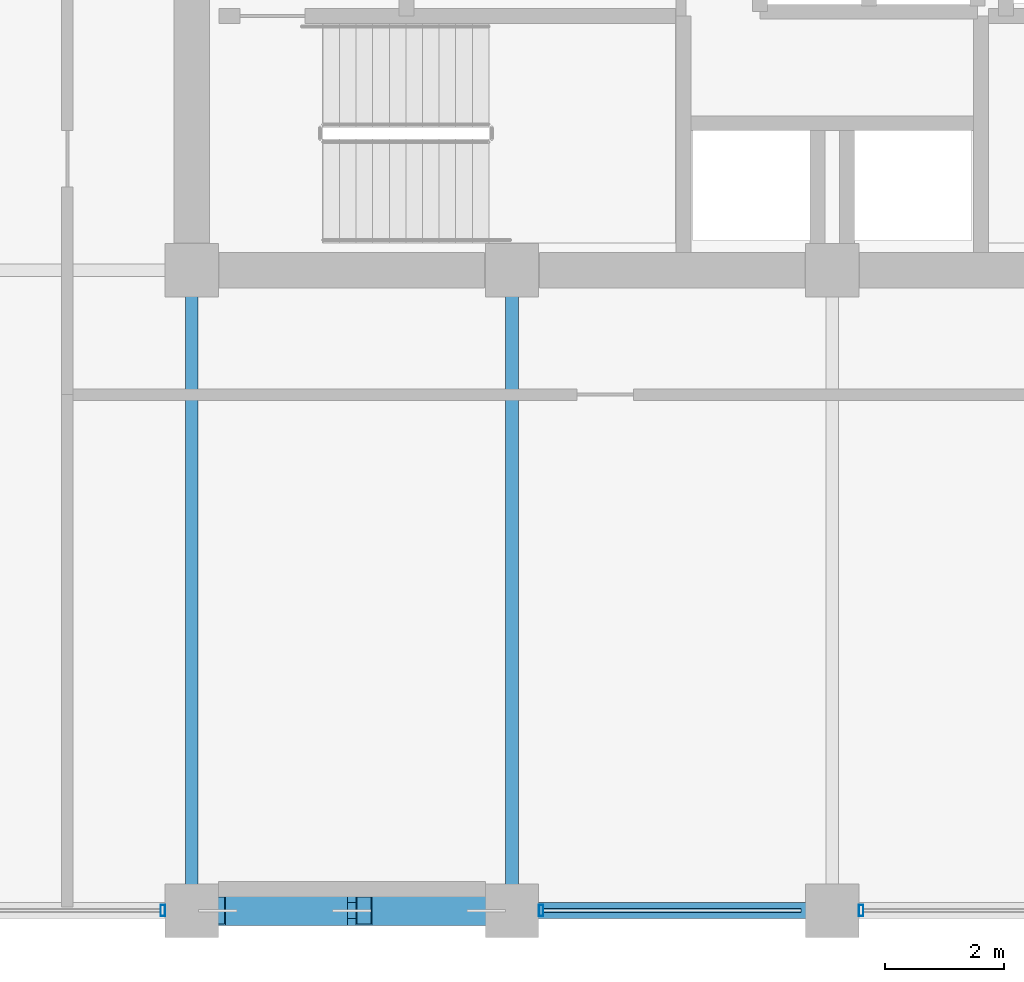
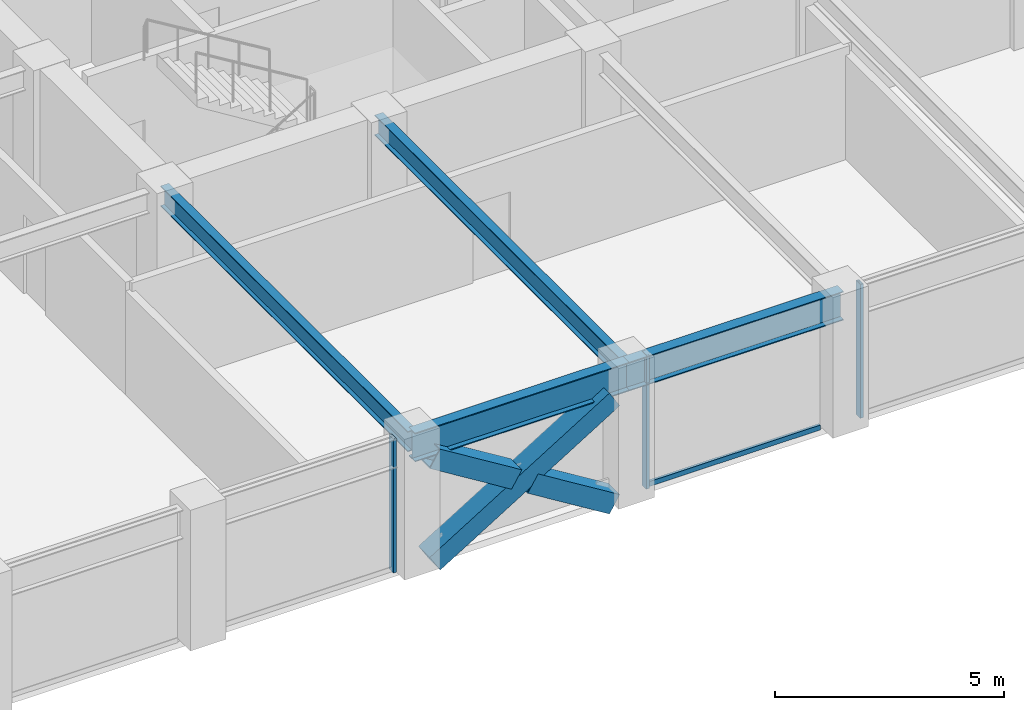
# One storey, part 6 of 31: 7 members, 4 beams, 2 elements without a shape of their own.
"""IFC4 building model written with IfcOpenShell, lengths in metres."""

from ifc_helpers import new_model, si_unit, direction, frame, origin, origin_2d, place, context, subcontext, project, spatial, hollow_rectangle, i_section, extrude, material, layer, layer_set, material_profile, profile_set, type_object, element, aggregate, save


model = new_model("IFC4")

# Units and contexts
model_context = context("Model", 3, precision=1e-05, world=origin(), true_north=direction((0.0, 1.0)))
body_context = subcontext(model_context, "Body", "Model", "MODEL_VIEW")
ifc_project = project(units=[si_unit("LENGTHUNIT", "METRE"), si_unit("AREAUNIT", "SQUARE_METRE"), si_unit("VOLUMEUNIT", "CUBIC_METRE"), si_unit("PLANEANGLEUNIT", "RADIAN"), si_unit("MASSUNIT", "GRAM", prefix="KILO")], contexts=[model_context])

# Site, building, storey
site_placement = place(None, origin())
site = spatial("IfcSite", under=ifc_project, at=site_placement, CompositionType="ELEMENT")
building_placement = place(site_placement, origin())
building = spatial("IfcBuilding", under=site, at=building_placement, Name="Surkhivell Harbour Commons", CompositionType="ELEMENT")
storey_placement = place(building_placement, frame((0.0, 0.0, 193.5)))
storey = spatial("IfcBuildingStorey", under=building, at=storey_placement, Name="L50", CompositionType="ELEMENT", Elevation=193.5)

# Beams
ifc_material_1 = material(Name="Steel S355", Category="steel")
ifc_material_profile_1 = material_profile(ifc_material_1, i_section(OverallWidth=0.2119140625, OverallDepth=0.5439453125, WebThickness=0.0126953125, FlangeThickness=0.021240234375, at=origin_2d()), Name="UB533x210x122")
ifc_profile_set_1 = profile_set([ifc_material_profile_1], Name="Steel S355")
beam_type_1 = type_object("IfcBeamType", Name="BM-GRD-533A", PredefinedType="BEAM", material=ifc_profile_set_1)
for number, where, z_axis, x_axis, name in (
    (1, (-10.800048828125, -21.60009765625, 3.298095703125), (0.0, 1.0, 0.0), (-1.0, 0.0, 0.0), "L50 Floor Girder (-10.8,-21.6)"),
    (2, (-5.39990234375, -21.60009765625, 3.298095703125), (0.0, 1.0, 0.0), (-1.0, 0.0, 0.0), "L50 Floor Girder (-5.4,-21.6)"),
):
    element("IfcBeam", number, at=place(storey_placement, frame(where, z_axis=z_axis, x_axis=x_axis)), inside=storey, type_object=beam_type_1, Name=name, PredefinedType="BEAM", context=body_context, shape_type="SweptSolid", body=[
        extrude(i_section(OverallWidth=0.2119140625, OverallDepth=0.5439453125, WebThickness=0.0126953125, FlangeThickness=0.021240234375, at=origin_2d()), origin(), (0.0, 0.0, 1.0), 10.800048828125),
    ])
ifc_material_profile_2 = material_profile(ifc_material_1, i_section(OverallWidth=0.26806640625, OverallDepth=0.77001953125, WebThickness=0.015625, FlangeThickness=0.025390625, at=origin_2d()), Name="UB762x267x197")
ifc_profile_set_2 = profile_set([ifc_material_profile_2], Name="Steel S355")
beam_type_2 = type_object("IfcBeamType", Name="BM-SPN-762", PredefinedType="SPANDREL", material=ifc_profile_set_2)
beam_1_placement = place(storey_placement, frame((-10.800048828125, -21.60009765625, 3.18505859375), z_axis=(1.0, 0.0, 0.0), x_axis=(0.0, 1.0, 0.0)))
element("IfcBeam", 3, at=beam_1_placement, inside=storey, type_object=beam_type_2, Name="L50 Tube Spandrel (-10.8,-21.6)", PredefinedType="SPANDREL", context=body_context, shape_type="SweptSolid", body=[
    extrude(i_section(OverallWidth=0.26806640625, OverallDepth=0.77001953125, WebThickness=0.015625, FlangeThickness=0.025390625, at=origin_2d()), origin(), (0.0, 0.0, 1.0), 5.400146484375),
])
beam_2_placement = place(storey_placement, frame((-5.39990234375, -21.60009765625, 3.18505859375), z_axis=(1.0, 0.0, 0.0), x_axis=(0.0, 1.0, 0.0)))
element("IfcBeam", 4, at=beam_2_placement, inside=storey, type_object=beam_type_2, Name="L50 Tube Spandrel (-5.4,-21.6)", PredefinedType="SPANDREL", context=body_context, shape_type="SweptSolid", body=[
    extrude(i_section(OverallWidth=0.26806640625, OverallDepth=0.77001953125, WebThickness=0.015625, FlangeThickness=0.025390625, at=origin_2d()), origin(), (0.0, 0.0, 1.0), 5.39990234375),
])

# Curtain wall, member
ifc_material_2 = material(Name="Anodised pale-metal aluminium and insulated glazing", Category="aluminium")
ifc_layer = layer(ifc_material_2, 0.18994140625)
ifc_layer_set = layer_set([ifc_layer], Name="Anodised pale-metal aluminium and insulated glazing")
curtain_wall_type = type_object("IfcCurtainWallType", Name="CW-SYS-Z3", PredefinedType="NOTDEFINED", material=ifc_layer_set)
curtain_wall_1_placement = place(storey_placement, origin())
curtain_wall_1 = element("IfcCurtainWall", 5, at=curtain_wall_1_placement, inside=storey, type_object=curtain_wall_type, Name="L50 Curtain Wall CW-L50-E00S1", PredefinedType="NOTDEFINED")
ifc_material_3 = material(Name="Anodised pale-metal aluminium alloy 6063-T6", Category="aluminium")
ifc_material_profile_3 = material_profile(ifc_material_3, hollow_rectangle(XDim=0.074951171875, YDim=0.18994140625, WallThickness=0.00390625, at=origin_2d()), Name="ALU-MULL-75x190")
ifc_profile_set_3 = profile_set([ifc_material_profile_3], Name="Anodised pale-metal aluminium alloy 6063-T6")
member_type_1 = type_object("IfcMemberType", Name="CWM-190", PredefinedType="MULLION", material=ifc_profile_set_3)
member_1_placement = place(storey_placement, frame((-11.28955078125, -21.60009765625, 0.0), z_axis=(0.0, 0.0, 1.0), x_axis=(1.0, 0.0, 0.0)))
member_1 = element("IfcMember", 6, at=member_1_placement, type_object=member_type_1, Name="CW-Z3 mullion 3", PredefinedType="MULLION", context=body_context, shape_type="SweptSolid", body=[
    extrude(hollow_rectangle(XDim=0.074951171875, YDim=0.18994140625, WallThickness=0.00390625, at=origin_2d()), origin(), (0.0, 0.0, 1.0), 3.570068359375),
])
aggregate(curtain_wall_1, [member_1])

# Curtain wall, members
curtain_wall_2_placement = place(storey_placement, origin())
curtain_wall_2 = element("IfcCurtainWall", 7, at=curtain_wall_2_placement, inside=storey, type_object=curtain_wall_type, Name="L50 Curtain Wall CW-L50-E00S2", PredefinedType="NOTDEFINED")
member_2_placement = place(storey_placement, frame((-4.910400390625, -21.60009765625, 0.0), z_axis=(0.0, 0.0, 1.0), x_axis=(1.0, 0.0, 0.0)))
member_2 = element("IfcMember", 8, at=member_2_placement, type_object=member_type_1, Name="CW-Z3 mullion 1", PredefinedType="MULLION", context=body_context, shape_type="SweptSolid", body=[
    extrude(hollow_rectangle(XDim=0.074951171875, YDim=0.18994140625, WallThickness=0.00390625, at=origin_2d()), origin(), (0.0, 0.0, 1.0), 3.570068359375),
])
member_3_placement = place(storey_placement, frame((0.489501953125, -21.60009765625, 0.0), z_axis=(0.0, 0.0, 1.0), x_axis=(1.0, 0.0, 0.0)))
member_3 = element("IfcMember", 9, at=member_3_placement, type_object=member_type_1, Name="CW-Z3 mullion 2", PredefinedType="MULLION", context=body_context, shape_type="SweptSolid", body=[
    extrude(hollow_rectangle(XDim=0.074951171875, YDim=0.18994140625, WallThickness=0.00390625, at=origin_2d()), origin(), (0.0, 0.0, 1.0), 3.570068359375),
])
ifc_material_4 = material(Name="Champagne anodised aluminium alloy 6063-T6", Category="aluminium")
ifc_material_profile_4 = material_profile(ifc_material_4, hollow_rectangle(XDim=0.070068359375, YDim=0.1298828125, WallThickness=0.00341796875, at=origin_2d()), Name="ALU-TRAN-70x130")
ifc_profile_set_4 = profile_set([ifc_material_profile_4], Name="Champagne anodised aluminium alloy 6063-T6")
member_type_2 = type_object("IfcMemberType", Name="CWT-130", PredefinedType="USERDEFINED", material=ifc_profile_set_4)
member_4_placement = place(storey_placement, frame((-4.873046875, -21.60009765625, 0.06494140625), z_axis=(1.0, 0.0, 0.0), x_axis=(0.0, 1.0, 0.0)))
member_4 = element("IfcMember", 10, at=member_4_placement, type_object=member_type_2, Name="CW-Z3 transom 1.1", ObjectType="TRANSOM", PredefinedType="USERDEFINED", context=body_context, shape_type="SweptSolid", body=[
    extrude(hollow_rectangle(XDim=0.070068359375, YDim=0.1298828125, WallThickness=0.00341796875, at=origin_2d()), origin(), (0.0, 0.0, 1.0), 4.345947265625),
])
aggregate(curtain_wall_2, [member_2, member_4, member_3])

# Members
ifc_material_5 = material(Name="Steel S460", Category="steel")
ifc_material_profile_5 = material_profile(ifc_material_5, hollow_rectangle(XDim=0.5, YDim=0.5, WallThickness=0.02490234375, at=origin_2d()), Name="SHS500x500x25")
ifc_profile_set_5 = profile_set([ifc_material_profile_5], Name="Steel S460")
member_type_3 = type_object("IfcMemberType", Name="MEM-BRC-SHS500", PredefinedType="BRACE", material=ifc_profile_set_5)
member_5_placement = place(storey_placement, frame((-10.364990234375, -21.60009765625, 0.008056640625), z_axis=(0.850971032488, 0.0, 0.525212625387), x_axis=(0.0, 1.0, 0.0)))
element("IfcMember", 11, at=member_5_placement, inside=storey, type_object=member_type_3, Name="L50 Perimeter Mega-Brace MB- 07", PredefinedType="BRACE", context=body_context, shape_type="SweptSolid", body=[
    extrude(hollow_rectangle(XDim=0.5, YDim=0.5, WallThickness=0.02490234375, at=origin_2d()), origin(), (0.0, 0.0, 1.0), 5.323486328125),
])
for number, where, z_axis, x_axis, name in (
    (12, (-5.8349609375, -21.60009765625, 0.008056640625), (-0.8510034189, 0.0, 0.525160147974), (0.0, -1.0, 0.0), "L50 Perimeter Mega-Brace MB- 08"),
    (13, (-8.30419921875, -21.60009765625, 1.531982421875), (-0.850958361341, 0.0, 0.525233155146), (0.0, -1.0, 0.0), "L50 Perimeter Mega-Brace MB- 09"),
):
    element("IfcMember", number, at=place(storey_placement, frame(where, z_axis=z_axis, x_axis=x_axis)), inside=storey, type_object=member_type_3, Name=name, PredefinedType="BRACE", context=body_context, shape_type="SweptSolid", body=[
        extrude(hollow_rectangle(XDim=0.5, YDim=0.5, WallThickness=0.02490234375, at=origin_2d()), origin(), (0.0, 0.0, 1.0), 2.421630859375),
    ])

save(model, "model.ifc")
